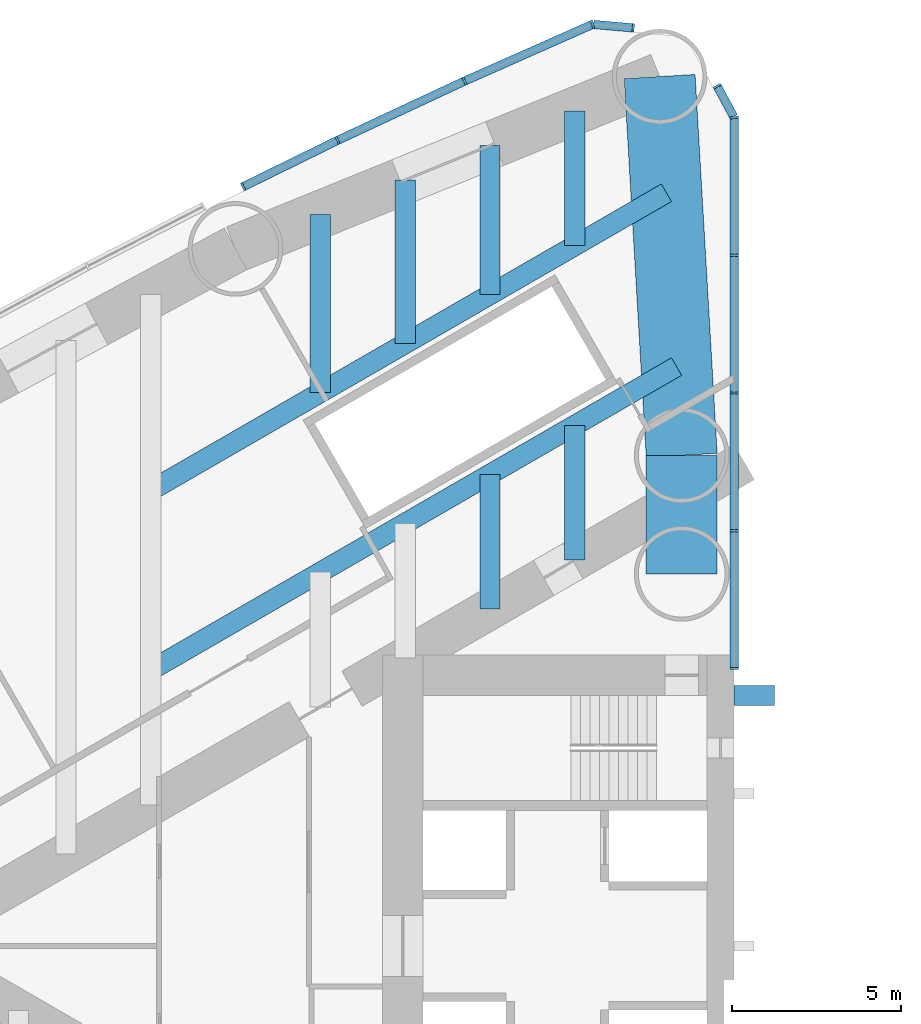
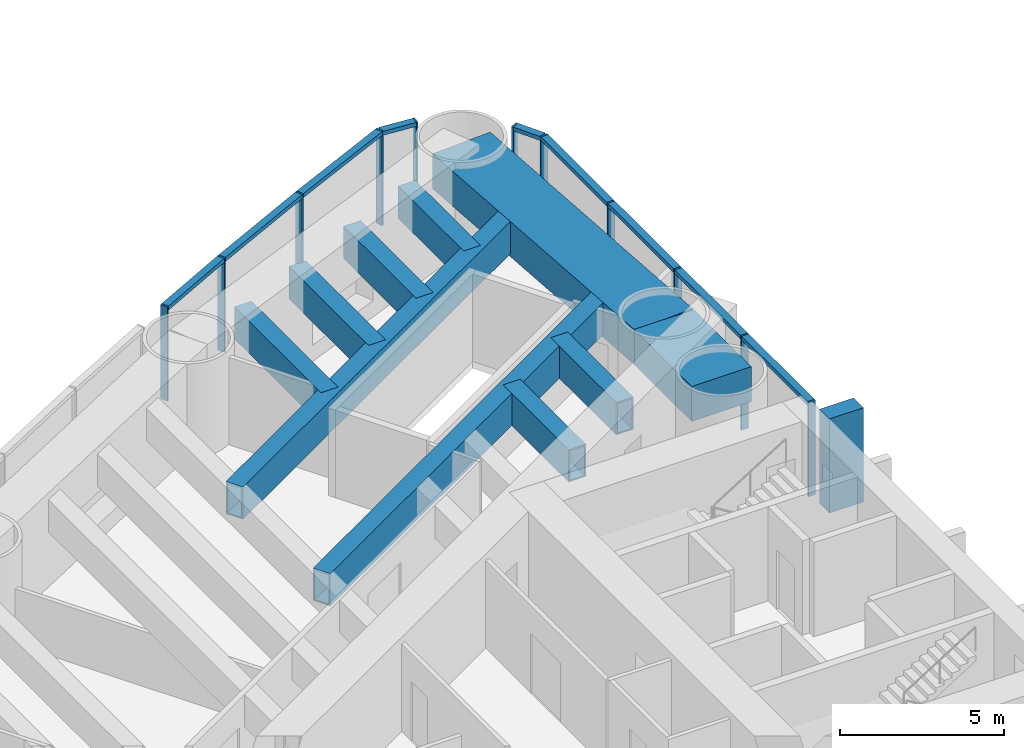
# One storey, part 5 of 20: 21 members, 10 beams, 2 elements without a shape of their own.
"""IFC4 building model written with IfcOpenShell, lengths in metres."""

from ifc_helpers import new_model, si_unit, direction, frame, origin, origin_2d, place, context, subcontext, project, spatial, rectangle, hollow_rectangle, extrude, material, material_profile, profile_set, type_object, element, aggregate, save


model = new_model("IFC4")

# Units and contexts
model_context = context("Model", 3, precision=1e-05, world=origin(), true_north=direction((0.0, 1.0)))
body_context = subcontext(model_context, "Body", "Model", "MODEL_VIEW")
ifc_project = project(units=[si_unit("LENGTHUNIT", "METRE"), si_unit("AREAUNIT", "SQUARE_METRE"), si_unit("VOLUMEUNIT", "CUBIC_METRE"), si_unit("PLANEANGLEUNIT", "RADIAN"), si_unit("MASSUNIT", "GRAM", prefix="KILO")], contexts=[model_context])

# Site, building, storey
site_placement = place(None, origin())
site = spatial("IfcSite", under=ifc_project, at=site_placement, CompositionType="ELEMENT")
building_placement = place(site_placement, origin())
building = spatial("IfcBuilding", under=site, at=building_placement, Name="Lancet Gate Hotel", CompositionType="ELEMENT")
storey_placement = place(building_placement, frame((0.0, 0.0, 77.5)))
storey = spatial("IfcBuildingStorey", under=building, at=storey_placement, Name="L20", CompositionType="ELEMENT", Elevation=77.5)

# Curtain wall, members
ifc_material_1 = material(Name="Aluminium curtain wall", Category="aluminium")
curtain_wall_type = type_object("IfcCurtainWallType", Name="Tower unitised curtain wall", PredefinedType="USERDEFINED", material=ifc_material_1)
curtain_wall_1_placement = place(storey_placement, origin())
curtain_wall_1 = element("IfcCurtainWall", 1, at=curtain_wall_1_placement, inside=storey, type_object=curtain_wall_type, Name="T1 L20 curtain wall 1", ObjectType="UNITISED CURTAIN WALL", PredefinedType="USERDEFINED")
ifc_material_2 = material(Name="Aluminium mullion", Category="aluminium")
ifc_material_profile_1 = material_profile(ifc_material_2, rectangle(XDim=0.06494140625, YDim=0.25, at=origin_2d()), Name="MULLION 65x250")
ifc_profile_set_1 = profile_set([ifc_material_profile_1], Name="Aluminium mullion")
member_type_1 = type_object("IfcMemberType", Name="Aluminium mullion 65x250", PredefinedType="MULLION", material=ifc_profile_set_1)
member_1_placement = place(storey_placement, frame((-27.5, 8.199951171875, 0.0), z_axis=(0.0, 0.0, 1.0), x_axis=(0.0, 1.0, 0.0)))
member_1 = element("IfcMember", 2, at=member_1_placement, type_object=member_type_1, Name="T1 L20 curtain wall 1 mullion 1", PredefinedType="MULLION", context=body_context, shape_type="SweptSolid", body=[
    extrude(rectangle(XDim=0.06494140625, YDim=0.25, at=origin_2d()), origin(), (0.0, 0.0, 1.0), 3.5),
])
member_2_placement = place(storey_placement, frame((-27.5, 12.272705078125, 0.0), z_axis=(0.0, 0.0, 1.0), x_axis=(0.0, 1.0, 0.0)))
member_2 = element("IfcMember", 3, at=member_2_placement, type_object=member_type_1, Name="T1 L20 curtain wall 1 mullion 2", PredefinedType="MULLION", context=body_context, shape_type="SweptSolid", body=[
    extrude(rectangle(XDim=0.06494140625, YDim=0.25, at=origin_2d()), origin(), (0.0, 0.0, 1.0), 3.5),
])
member_3_placement = place(storey_placement, frame((-27.5, 16.345703125, 0.0), z_axis=(0.0, 0.0, 1.0), x_axis=(0.0, 1.0, 0.0)))
member_3 = element("IfcMember", 4, at=member_3_placement, type_object=member_type_1, Name="T1 L20 curtain wall 1 mullion 3", PredefinedType="MULLION", context=body_context, shape_type="SweptSolid", body=[
    extrude(rectangle(XDim=0.06494140625, YDim=0.25, at=origin_2d()), origin(), (0.0, 0.0, 1.0), 3.5),
])
member_4_placement = place(storey_placement, frame((-27.5, 20.41845703125, 0.0), z_axis=(0.0, 0.0, 1.0), x_axis=(0.0, 1.0, 0.0)))
member_4 = element("IfcMember", 5, at=member_4_placement, type_object=member_type_1, Name="T1 L20 curtain wall 1 mullion 4", PredefinedType="MULLION", context=body_context, shape_type="SweptSolid", body=[
    extrude(rectangle(XDim=0.06494140625, YDim=0.25, at=origin_2d()), origin(), (0.0, 0.0, 1.0), 3.5),
])
member_5_placement = place(storey_placement, frame((-27.5, 24.4912109375, 0.0), z_axis=(0.0, 0.0, 1.0), x_axis=(-0.099392472298, 0.995048308601, 0.0)))
member_5 = element("IfcMember", 6, at=member_5_placement, type_object=member_type_1, Name="T1 L20 curtain wall 1 mullion 5", PredefinedType="MULLION", context=body_context, shape_type="SweptSolid", body=[
    extrude(rectangle(XDim=0.06494140625, YDim=0.25, at=origin_2d()), origin(), (0.0, 0.0, 1.0), 3.5),
])
member_6_placement = place(storey_placement, frame((-27.999267578125, 25.417236328125, 0.0), z_axis=(0.0, 0.0, 1.0), x_axis=(-0.474631040972, 0.880184852714, 0.0)))
member_6 = element("IfcMember", 7, at=member_6_placement, type_object=member_type_1, Name="T1 L20 curtain wall 1 mullion 6", PredefinedType="MULLION", context=body_context, shape_type="SweptSolid", body=[
    extrude(rectangle(XDim=0.06494140625, YDim=0.25, at=origin_2d()), origin(), (0.0, 0.0, 1.0), 3.5),
])

curtain_wall_2_placement = place(storey_placement, origin())
curtain_wall_2 = element("IfcCurtainWall", 8, at=curtain_wall_2_placement, inside=storey, type_object=curtain_wall_type, Name="T1 L20 curtain wall 2", ObjectType="UNITISED CURTAIN WALL", PredefinedType="USERDEFINED")
member_7_placement = place(storey_placement, frame((-30.485595703125, 27.140625, 0.0), z_axis=(0.0, 0.0, 1.0), x_axis=(-0.99620380374, 0.087051602022, 0.0)))
member_7 = element("IfcMember", 9, at=member_7_placement, type_object=member_type_1, Name="T1 L20 curtain wall 2 mullion 1", PredefinedType="MULLION", context=body_context, shape_type="SweptSolid", body=[
    extrude(rectangle(XDim=0.06494140625, YDim=0.25, at=origin_2d()), origin(), (0.0, 0.0, 1.0), 3.5),
])
member_8_placement = place(storey_placement, frame((-31.688720703125, 27.24560546875, 0.0), z_axis=(0.0, 0.0, 1.0), x_axis=(-0.953736746379, -0.300643008578, 0.0)))
member_8 = element("IfcMember", 10, at=member_8_placement, type_object=member_type_1, Name="T1 L20 curtain wall 2 mullion 2", PredefinedType="MULLION", context=body_context, shape_type="SweptSolid", body=[
    extrude(rectangle(XDim=0.06494140625, YDim=0.25, at=origin_2d()), origin(), (0.0, 0.0, 1.0), 3.5),
])
member_9_placement = place(storey_placement, frame((-35.473876953125, 25.568115234375, 0.0), z_axis=(0.0, 0.0, 1.0), x_axis=(-0.910219680212, -0.414125746308, 0.0)))
member_9 = element("IfcMember", 11, at=member_9_placement, type_object=member_type_1, Name="T1 L20 curtain wall 2 mullion 3", PredefinedType="MULLION", context=body_context, shape_type="SweptSolid", body=[
    extrude(rectangle(XDim=0.06494140625, YDim=0.25, at=origin_2d()), origin(), (0.0, 0.0, 1.0), 3.5),
])
member_10_placement = place(storey_placement, frame((-39.225341796875, 23.816650390625, 0.0), z_axis=(0.0, 0.0, 1.0), x_axis=(-0.902528866605, -0.43062935913, 0.0)))
member_10 = element("IfcMember", 12, at=member_10_placement, type_object=member_type_1, Name="T1 L20 curtain wall 2 mullion 4", PredefinedType="MULLION", context=body_context, shape_type="SweptSolid", body=[
    extrude(rectangle(XDim=0.06494140625, YDim=0.25, at=origin_2d()), origin(), (0.0, 0.0, 1.0), 3.5),
])
member_11_placement = place(storey_placement, frame((-42.017822265625, 22.44580078125, 0.0), z_axis=(0.0, 0.0, 1.0), x_axis=(-0.897653295642, -0.440702349463, 0.0)))
member_11 = element("IfcMember", 13, at=member_11_placement, type_object=member_type_1, Name="T1 L20 curtain wall 2 mullion 5", PredefinedType="MULLION", context=body_context, shape_type="SweptSolid", body=[
    extrude(rectangle(XDim=0.06494140625, YDim=0.25, at=origin_2d()), origin(), (0.0, 0.0, 1.0), 3.5),
])

# Member
ifc_material_3 = material(Name="Aluminium transom", Category="aluminium")
ifc_material_profile_2 = material_profile(ifc_material_3, rectangle(XDim=0.25, YDim=0.14990234375, at=origin_2d()), Name="TRANSOM 250x150")
ifc_profile_set_2 = profile_set([ifc_material_profile_2], Name="Aluminium transom")
member_type_2 = type_object("IfcMemberType", Name="Aluminium transom 250x150", PredefinedType="USERDEFINED", material=ifc_profile_set_2)
member_12_placement = place(storey_placement, frame((-27.5, 8.232421875, 3.425048828125), z_axis=(0.0, 1.0, 0.0), x_axis=(-1.0, 0.0, 0.0)))
member_12 = element("IfcMember", 14, at=member_12_placement, type_object=member_type_2, Name="T1 L20 curtain wall 1 transom 1", ObjectType="TRANSOM", PredefinedType="USERDEFINED", context=body_context, shape_type="SweptSolid", body=[
    extrude(rectangle(XDim=0.25, YDim=0.14990234375, at=origin_2d()), origin(), (0.0, 0.0, 1.0), 4.0078125),
])

member_13_placement = place(storey_placement, frame((-27.5, 12.30517578125, 3.425048828125), z_axis=(0.0, 1.0, 0.0), x_axis=(-1.0, 0.0, 0.0)))
member_13 = element("IfcMember", 15, at=member_13_placement, type_object=member_type_2, Name="T1 L20 curtain wall 1 transom 2", ObjectType="TRANSOM", PredefinedType="USERDEFINED", context=body_context, shape_type="SweptSolid", body=[
    extrude(rectangle(XDim=0.25, YDim=0.14990234375, at=origin_2d()), origin(), (0.0, 0.0, 1.0), 4.0078125),
])

member_14_placement = place(storey_placement, frame((-27.5, 16.378173828125, 3.425048828125), z_axis=(0.0, 1.0, 0.0), x_axis=(-1.0, 0.0, 0.0)))
member_14 = element("IfcMember", 16, at=member_14_placement, type_object=member_type_2, Name="T1 L20 curtain wall 1 transom 3", ObjectType="TRANSOM", PredefinedType="USERDEFINED", context=body_context, shape_type="SweptSolid", body=[
    extrude(rectangle(XDim=0.25, YDim=0.14990234375, at=origin_2d()), origin(), (0.0, 0.0, 1.0), 4.0078125),
])

member_15_placement = place(storey_placement, frame((-27.5, 20.450927734375, 3.425048828125), z_axis=(0.0, 1.0, 0.0), x_axis=(-1.0, 0.0, 0.0)))
member_15 = element("IfcMember", 17, at=member_15_placement, type_object=member_type_2, Name="T1 L20 curtain wall 1 transom 4", ObjectType="TRANSOM", PredefinedType="USERDEFINED", context=body_context, shape_type="SweptSolid", body=[
    extrude(rectangle(XDim=0.25, YDim=0.14990234375, at=origin_2d()), origin(), (0.0, 0.0, 1.0), 4.0078125),
])

member_16_placement = place(storey_placement, frame((-27.515380859375, 24.519775390625, 3.425048828125), z_axis=(-0.474704521385, 0.880145225163, 0.0), x_axis=(-0.880145225163, -0.474704521385, 0.0)))
member_16 = element("IfcMember", 18, at=member_16_placement, type_object=member_type_2, Name="T1 L20 curtain wall 1 transom 5", ObjectType="TRANSOM", PredefinedType="USERDEFINED", context=body_context, shape_type="SweptSolid", body=[
    extrude(rectangle(XDim=0.25, YDim=0.14990234375, at=origin_2d()), origin(), (0.0, 0.0, 1.0), 0.987060546875),
])

aggregate(curtain_wall_1, [member_1, member_2, member_3, member_4, member_5, member_6, member_12, member_13, member_14, member_15, member_16])

member_17_placement = place(storey_placement, frame((-30.517822265625, 27.143310546875, 3.425048828125), z_axis=(-0.996193949384, 0.087164300096, 0.0), x_axis=(-0.087164300096, -0.996193949384, 0.0)))
member_17 = element("IfcMember", 19, at=member_17_placement, type_object=member_type_2, Name="T1 L20 curtain wall 2 transom 1", ObjectType="TRANSOM", PredefinedType="USERDEFINED", context=body_context, shape_type="SweptSolid", body=[
    extrude(rectangle(XDim=0.25, YDim=0.14990234375, at=origin_2d()), origin(), (0.0, 0.0, 1.0), 1.142822265625),
])

member_18_placement = place(storey_placement, frame((-31.71826171875, 27.232421875, 3.425048828125), z_axis=(-0.914248281954, -0.405154389022, 0.0), x_axis=(0.405154389022, -0.914248281954, 0.0)))
member_18 = element("IfcMember", 20, at=member_18_placement, type_object=member_type_2, Name="T1 L20 curtain wall 2 transom 2", ObjectType="TRANSOM", PredefinedType="USERDEFINED", context=body_context, shape_type="SweptSolid", body=[
    extrude(rectangle(XDim=0.25, YDim=0.14990234375, at=origin_2d()), origin(), (0.0, 0.0, 1.0), 4.0751953125),
])

member_19_placement = place(storey_placement, frame((-35.503173828125, 25.554443359375, 3.425048828125), z_axis=(-0.906109667261, -0.423042871228, 0.0), x_axis=(0.423042871228, -0.906109667261, 0.0)))
member_19 = element("IfcMember", 21, at=member_19_placement, type_object=member_type_2, Name="T1 L20 curtain wall 2 transom 3", ObjectType="TRANSOM", PredefinedType="USERDEFINED", context=body_context, shape_type="SweptSolid", body=[
    extrude(rectangle(XDim=0.25, YDim=0.14990234375, at=origin_2d()), origin(), (0.0, 0.0, 1.0), 4.075439453125),
])

member_20_placement = place(storey_placement, frame((-39.254638671875, 23.80224609375, 3.425048828125), z_axis=(-0.897642241147, -0.440724865317, 0.0), x_axis=(0.440724865317, -0.897642241147, 0.0)))
member_20 = element("IfcMember", 22, at=member_20_placement, type_object=member_type_2, Name="T1 L20 curtain wall 2 transom 4", ObjectType="TRANSOM", PredefinedType="USERDEFINED", context=body_context, shape_type="SweptSolid", body=[
    extrude(rectangle(XDim=0.25, YDim=0.14990234375, at=origin_2d()), origin(), (0.0, 0.0, 1.0), 3.045654296875),
])

aggregate(curtain_wall_2, [member_7, member_8, member_9, member_10, member_11, member_17, member_18, member_19, member_20])

ifc_material_4 = material(Name="Concrete C60/75", Category="concrete")
ifc_material_profile_3 = material_profile(ifc_material_4, rectangle(XDim=0.60009765625, YDim=1.199951171875, at=origin_2d()), Name="FIN 600x1200")
ifc_profile_set_3 = profile_set([ifc_material_profile_3], Name="Concrete C60/75")
member_type_3 = type_object("IfcMemberType", Name="Exposed concrete buttress pilaster 600x1200", PredefinedType="USERDEFINED", material=ifc_profile_set_3)
member_21_placement = place(storey_placement, frame((-26.909912109375, 7.39990234375, 0.0), z_axis=(0.0, 0.0, 1.0), x_axis=(0.0, 1.0, 0.0)))
element("IfcMember", 23, at=member_21_placement, inside=storey, type_object=member_type_3, Name="T1 buttress pilaster S L20", ObjectType="FIN", PredefinedType="USERDEFINED", context=body_context, shape_type="SweptSolid", body=[
    extrude(rectangle(XDim=0.60009765625, YDim=1.199951171875, at=origin_2d()), origin(), (0.0, 0.0, 1.0), 3.5),
])

# Beams
ifc_material_5 = material(Name="Steel S460QL", Category="steel")
ifc_material_profile_4 = material_profile(ifc_material_5, hollow_rectangle(XDim=0.60009765625, YDim=1.199951171875, WallThickness=0.050048828125, at=origin_2d()), Name="BOX 1200x600x50")
ifc_profile_set_4 = profile_set([ifc_material_profile_4], Name="Steel S460QL")
beam_type_1 = type_object("IfcBeamType", Name="Refuge floor beam BOX 1200x600x50", PredefinedType="BEAM", material=ifc_profile_set_4)
beam_1_placement = place(storey_placement, frame((-32.213623046875, 24.682861328125, 2.64990234375), z_axis=(0.0, -1.0, 0.0), x_axis=(1.0, 0.0, 0.0)))
element("IfcBeam", 24, at=beam_1_placement, inside=storey, type_object=beam_type_1, Name="T1 floor beam F02SA L20", PredefinedType="BEAM", context=body_context, shape_type="SweptSolid", body=[
    extrude(hollow_rectangle(XDim=0.60009765625, YDim=1.199951171875, WallThickness=0.050048828125, at=origin_2d()), origin(), (0.0, 0.0, 1.0), 3.98193359375),
])
beam_2_placement = place(storey_placement, frame((-32.213623046875, 15.389404296875, 2.64990234375), z_axis=(0.0, -1.0, 0.0), x_axis=(1.0, 0.0, 0.0)))
element("IfcBeam", 25, at=beam_2_placement, inside=storey, type_object=beam_type_1, Name="T1 floor beam F02SB L20", PredefinedType="BEAM", context=body_context, shape_type="SweptSolid", body=[
    extrude(hollow_rectangle(XDim=0.60009765625, YDim=1.199951171875, WallThickness=0.050048828125, at=origin_2d()), origin(), (0.0, 0.0, 1.0), 3.984130859375),
])
beam_3_placement = place(storey_placement, frame((-34.720458984375, 23.664306640625, 2.64990234375), z_axis=(0.0, -1.0, 0.0), x_axis=(1.0, 0.0, 0.0)))
element("IfcBeam", 26, at=beam_3_placement, inside=storey, type_object=beam_type_1, Name="T1 floor beam F04SA L20", PredefinedType="BEAM", context=body_context, shape_type="SweptSolid", body=[
    extrude(hollow_rectangle(XDim=0.60009765625, YDim=1.199951171875, WallThickness=0.050048828125, at=origin_2d()), origin(), (0.0, 0.0, 1.0), 4.410888671875),
])
beam_4_placement = place(storey_placement, frame((-34.720458984375, 13.94189453125, 2.64990234375), z_axis=(0.0, -1.0, 0.0), x_axis=(1.0, 0.0, 0.0)))
element("IfcBeam", 27, at=beam_4_placement, inside=storey, type_object=beam_type_1, Name="T1 floor beam F04SB L20", PredefinedType="BEAM", context=body_context, shape_type="SweptSolid", body=[
    extrude(hollow_rectangle(XDim=0.60009765625, YDim=1.199951171875, WallThickness=0.050048828125, at=origin_2d()), origin(), (0.0, 0.0, 1.0), 3.98388671875),
])
beam_5_placement = place(storey_placement, frame((-37.227294921875, 22.64599609375, 2.64990234375), z_axis=(0.0, -1.0, 0.0), x_axis=(1.0, 0.0, 0.0)))
element("IfcBeam", 28, at=beam_5_placement, inside=storey, type_object=beam_type_1, Name="T1 floor beam F05SA L20", PredefinedType="BEAM", context=body_context, shape_type="SweptSolid", body=[
    extrude(hollow_rectangle(XDim=0.60009765625, YDim=1.199951171875, WallThickness=0.050048828125, at=origin_2d()), origin(), (0.0, 0.0, 1.0), 4.840087890625),
])
beam_6_placement = place(storey_placement, frame((-39.734130859375, 21.627685546875, 2.64990234375), z_axis=(0.0, -1.0, 0.0), x_axis=(1.0, 0.0, 0.0)))
element("IfcBeam", 29, at=beam_6_placement, inside=storey, type_object=beam_type_1, Name="T1 floor beam F07SA L20", PredefinedType="BEAM", context=body_context, shape_type="SweptSolid", body=[
    extrude(hollow_rectangle(XDim=0.60009765625, YDim=1.199951171875, WallThickness=0.050048828125, at=origin_2d()), origin(), (0.0, 0.0, 1.0), 5.269287109375),
])
ifc_material_6 = material(Name="Concrete C50/60", Category="concrete")
ifc_material_profile_5 = material_profile(ifc_material_6, rectangle(XDim=2.10009765625, YDim=1.300048828125, at=origin_2d()), Name="RC 2100x1300")
ifc_profile_set_5 = profile_set([ifc_material_profile_5], Name="Concrete C50/60")
beam_type_2 = type_object("IfcBeamType", Name="Tie ring beam RC 2100x1300", PredefinedType="SPANDREL", material=ifc_profile_set_5)
beam_7_placement = place(storey_placement, frame((-29.703369140625, 25.70263671875, 2.60009765625), z_axis=(0.058219521912, -0.998303805096, 0.0), x_axis=(0.998303805096, 0.058219521912, 0.0)))
element("IfcBeam", 30, at=beam_7_placement, inside=storey, type_object=beam_type_2, Name="T1 tie ring beam RG2 L20", PredefinedType="SPANDREL", context=body_context, shape_type="SweptSolid", body=[
    extrude(rectangle(XDim=2.10009765625, YDim=1.300048828125, at=origin_2d()), origin(), (0.0, 0.0, 1.0), 11.2216796875),
])
beam_8_placement = place(storey_placement, frame((-29.050048828125, 14.5, 2.60009765625), z_axis=(0.0, -1.0, 0.0), x_axis=(1.0, 0.0, 0.0)))
element("IfcBeam", 31, at=beam_8_placement, inside=storey, type_object=beam_type_2, Name="T1 tie ring beam RG2 L20", PredefinedType="SPANDREL", context=body_context, shape_type="SweptSolid", body=[
    extrude(rectangle(XDim=2.10009765625, YDim=1.300048828125, at=origin_2d()), origin(), (0.0, 0.0, 1.0), 3.5),
])
ifc_material_7 = material(Name="Steel S460QL", Category="steel")
ifc_material_profile_6 = material_profile(ifc_material_7, hollow_rectangle(XDim=0.60009765625, YDim=1.199951171875, WallThickness=0.050048828125, at=origin_2d()), Name="BOX 1200x600x50")
ifc_profile_set_6 = profile_set([ifc_material_profile_6], Name="Steel S460QL")
beam_type_3 = type_object("IfcBeamType", Name="Trimmer beam BOX 1200x600x50", PredefinedType="BEAM", material=ifc_profile_set_6)
beam_9_placement = place(storey_placement, frame((-29.203125, 17.127685546875, 2.64990234375), z_axis=(-0.865998717301, -0.500046219497, 0.0), x_axis=(0.500046219497, -0.865998717301, 0.0)))
element("IfcBeam", 32, at=beam_9_placement, inside=storey, type_object=beam_type_3, Name="T1 trimmer beam TR01S L20", PredefinedType="BEAM", context=body_context, shape_type="SweptSolid", body=[
    extrude(hollow_rectangle(XDim=0.60009765625, YDim=1.199951171875, WallThickness=0.050048828125, at=origin_2d()), origin(), (0.0, 0.0, 1.0), 17.949951171875),
])
beam_10_placement = place(storey_placement, frame((-29.5029296875, 22.26611328125, 2.64990234375), z_axis=(-0.865998275773, -0.50004698415, 0.0), x_axis=(0.50004698415, -0.865998275773, 0.0)))
element("IfcBeam", 33, at=beam_10_placement, inside=storey, type_object=beam_type_3, Name="T1 trimmer beam TR02S L20", PredefinedType="BEAM", context=body_context, shape_type="SweptSolid", body=[
    extrude(hollow_rectangle(XDim=0.60009765625, YDim=1.199951171875, WallThickness=0.050048828125, at=origin_2d()), origin(), (0.0, 0.0, 1.0), 17.603759765625),
])

save(model, "model.ifc")
